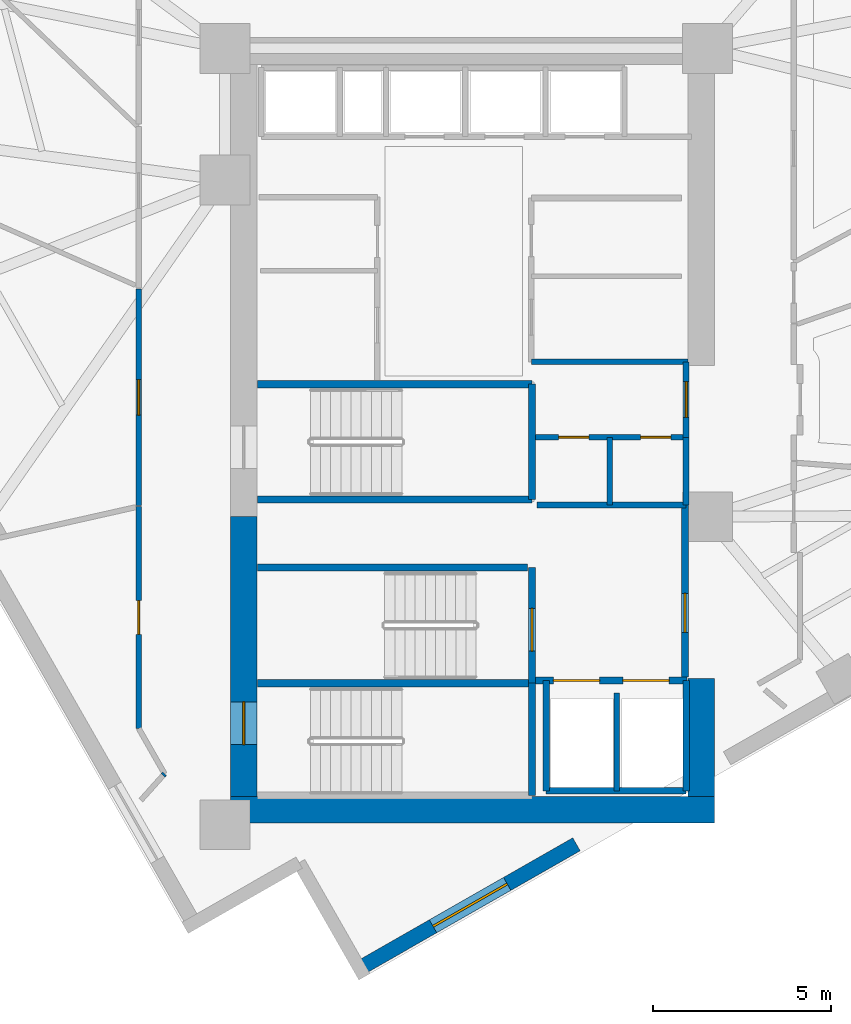
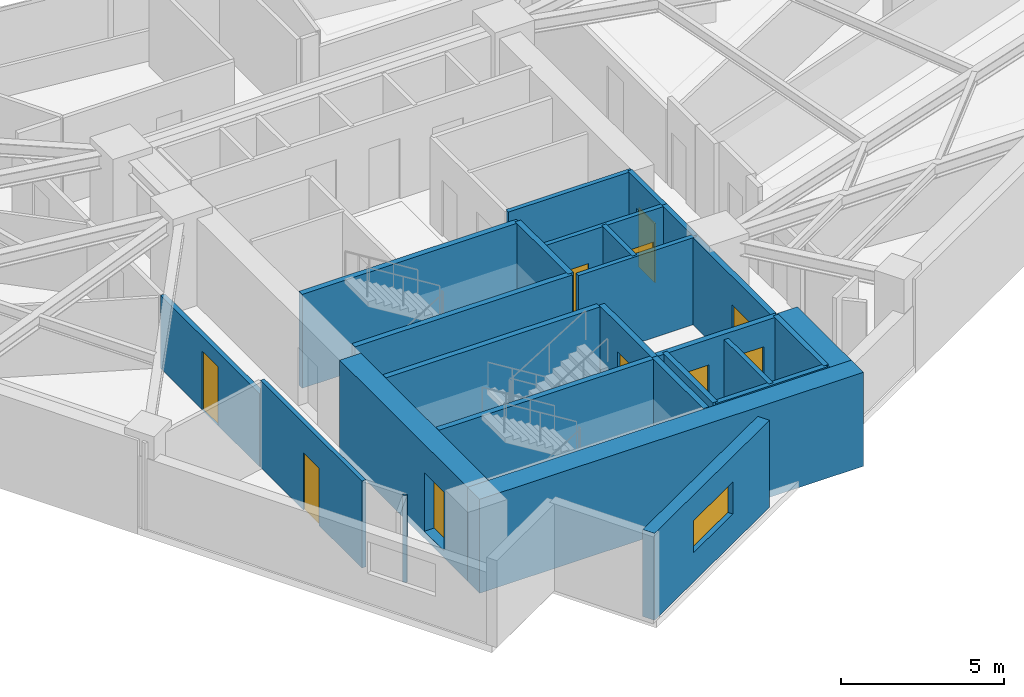
# One storey, part 9 of 14: 26 walls, 10 doors, 1 window, 11 openings.
"""IFC4 building model written with IfcOpenShell, lengths in metres."""

from ifc_helpers import new_model, si_unit, direction, frame, frame_2d, origin, place, context, subcontext, project, spatial, rectangle, extrude, material, layer, layer_set, type_object, element, fill, save


model = new_model("IFC4")

# Units and contexts
model_context = context("Model", 3, precision=1e-05, world=origin(), true_north=direction((0.0, 1.0)))
body_context = subcontext(model_context, "Body", "Model", "MODEL_VIEW")
ifc_project = project(units=[si_unit("LENGTHUNIT", "METRE"), si_unit("AREAUNIT", "SQUARE_METRE"), si_unit("VOLUMEUNIT", "CUBIC_METRE"), si_unit("PLANEANGLEUNIT", "RADIAN"), si_unit("MASSUNIT", "GRAM", prefix="KILO")], contexts=[model_context])

# Site, building, storey
site_placement = place(None, origin())
site = spatial("IfcSite", under=ifc_project, at=site_placement, CompositionType="ELEMENT")
building_placement = place(site_placement, origin())
building = spatial("IfcBuilding", under=site, at=building_placement, Name="Narakoshi Arena Tower", CompositionType="ELEMENT")
storey_placement = place(building_placement, frame((0.0, 0.0, 218.5)))
storey = spatial("IfcBuildingStorey", under=building, at=storey_placement, Name="L59", CompositionType="ELEMENT", Elevation=218.5)

# Wall, opening, door
ifc_material_1 = material(Name="Concrete C50/60", Category="concrete")
ifc_layer_1 = layer(ifc_material_1, 0.75)
ifc_layer_set_1 = layer_set([ifc_layer_1], Name="Concrete C50/60")
wall_type_1 = type_object("IfcWallType", Name="WL-CORE-750", PredefinedType="SHEAR", material=ifc_layer_set_1)
wall_1_placement = place(storey_placement, frame((72.52490234375, 35.5, -0.260009765625), z_axis=(0.0, 0.0, 1.0), x_axis=(0.0, 1.0, 0.0)))
wall_1 = element("IfcWall", 1, at=wall_1_placement, inside=storey, type_object=wall_type_1, Name="L59 Central Core Shear Wall CW-APX-W", PredefinedType="SHEAR", context=body_context, shape_type="SweptSolid", body=[
    extrude(rectangle(XDim=7.85009765625, YDim=0.75, at=frame_2d((3.925048828125, 0.0))), origin(), (0.0, 0.0, 1.0), 3.52001953125),
])
opening_1_placement = place(wall_1_placement, frame((1.449951171875, 0.0, 0.260009765625)))
opening_1 = element("IfcOpeningElement", 2, at=opening_1_placement, cuts=wall_1, Name="Opening D-03", PredefinedType="OPENING", context=body_context, shape_type="SweptSolid", body=[
    extrude(rectangle(XDim=1.199951171875, YDim=2.199951171875, at=frame_2d((0.60009765625, 1.10009765625))), frame((0.0, 0.385009765625, 0.0), z_axis=(0.0, -1.0, 0.0), x_axis=(1.0, 0.0, 0.0)), (0.0, 0.0, 1.0), 0.77001953125),
])
ifc_material_2 = material(Name="Painted galvanized steel", Category="steel")
door_type_1 = type_object("IfcDoorType", Name="DR-STR-1200", OperationType="NOTDEFINED", PredefinedType="USERDEFINED", material=ifc_material_2)
door_1_placement = place(opening_1_placement, frame((1.199951171875, 0.0, 0.0), z_axis=(0.0, 0.0, 1.0), x_axis=(-1.0, 0.0, 0.0)))
door_1 = element("IfcDoor", 3, at=door_1_placement, inside=storey, type_object=door_type_1, Name="DR-L59-001", ObjectType="EXITDOOR", OperationType="SINGLE_SWING_LEFT", OverallHeight=2.199951171875, OverallWidth=1.199951171875, PredefinedType="USERDEFINED", context=body_context, shape_type="SweptSolid", body=[
    extrude(rectangle(XDim=1.199951171875, YDim=2.199951171875, at=frame_2d((0.60009765625, 1.10009765625))), frame((0.0, 0.02490234375, 0.0), z_axis=(0.0, -1.0, 0.0), x_axis=(1.0, 0.0, 0.0)), (0.0, 0.0, 1.0), 0.050048828125),
])
fill(opening_1, door_1)

# Walls
wall_2_placement = place(storey_placement, frame((72.14990234375, 35.125, -0.260009765625), z_axis=(0.0, 0.0, 1.0), x_axis=(1.0, 0.0, 0.0)))
element("IfcWall", 4, at=wall_2_placement, inside=storey, type_object=wall_type_1, Name="L59 Central Core Shear Wall CW-APX-S", PredefinedType="SHEAR", context=body_context, shape_type="SweptSolid", body=[
    extrude(rectangle(XDim=13.60009765625, YDim=0.75, at=frame_2d((6.800048828125, 0.0))), origin(), (0.0, 0.0, 1.0), 3.52001953125),
])
wall_3_placement = place(storey_placement, frame((85.375, 35.5, -0.260009765625), z_axis=(0.0, 0.0, 1.0), x_axis=(0.0, 1.0, 0.0)))
element("IfcWall", 5, at=wall_3_placement, inside=storey, type_object=wall_type_1, Name="L59 Central Core Shear Wall CW-APX-E", PredefinedType="SHEAR", context=body_context, shape_type="SweptSolid", body=[
    extrude(rectangle(XDim=3.300048828125, YDim=0.75, at=frame_2d((1.64990234375, 0.0))), origin(), (0.0, 0.0, 1.0), 3.52001953125),
])

# Wall, opening, door
ifc_material_3 = material(Name="Gypsum plasterboard fire-rated partition")
ifc_layer_2 = layer(ifc_material_3, 0.1650390625)
ifc_layer_set_2 = layer_set([ifc_layer_2], Name="Gypsum plasterboard fire-rated partition")
wall_type_2 = type_object("IfcWallType", Name="WL-CORR-165", PredefinedType="PARTITIONING", material=ifc_layer_set_2)
wall_4_placement = place(storey_placement, frame((84.949951171875, 45.580078125, 0.0), z_axis=(0.0, 0.0, 1.0), x_axis=(0.0, 1.0, 0.0)))
wall_4 = element("IfcWall", 6, at=wall_4_placement, inside=storey, type_object=wall_type_2, Name="L59 Core Wall CPAS-E", PredefinedType="PARTITIONING", context=body_context, shape_type="SweptSolid", body=[
    extrude(rectangle(XDim=2.119873046875, YDim=0.1650390625, at=frame_2d((1.06005859375, 0.0))), origin(), (0.0, 0.0, 1.0), 3.260009765625),
])
opening_2_placement = place(wall_4_placement, frame((0.56005859375, 0.0, 0.0)))
opening_2 = element("IfcOpeningElement", 7, at=opening_2_placement, cuts=wall_4, Name="Opening D-06", PredefinedType="OPENING", context=body_context, shape_type="SweptSolid", body=[
    extrude(rectangle(XDim=1.0, YDim=2.199951171875, at=frame_2d((0.5, 1.10009765625))), frame((0.0, 0.092529296875, 0.0), z_axis=(0.0, -1.0, 0.0), x_axis=(1.0, 0.0, 0.0)), (0.0, 0.0, 1.0), 0.18505859375),
])
ifc_material_4 = material(Name="Stained oak solid-core timber", Category="wood")
door_type_2 = type_object("IfcDoorType", Name="DR-OFF-1000", OperationType="NOTDEFINED", PredefinedType="DOOR", material=ifc_material_4)
door_2_placement = place(opening_2_placement, frame((1.0, 0.0, 0.0), z_axis=(0.0, 0.0, 1.0), x_axis=(-1.0, 0.0, 0.0)))
door_2 = element("IfcDoor", 8, at=door_2_placement, inside=storey, type_object=door_type_2, Name="DR-L59-007", OperationType="SINGLE_SWING_LEFT", OverallHeight=2.199951171875, OverallWidth=1.0, PredefinedType="DOOR", context=body_context, shape_type="SweptSolid", body=[
    extrude(rectangle(XDim=1.0, YDim=2.199951171875, at=frame_2d((0.5, 1.10009765625))), frame((0.0, 0.02490234375, 0.0), z_axis=(0.0, -1.0, 0.0), x_axis=(1.0, 0.0, 0.0)), (0.0, 0.0, 1.0), 0.050048828125),
])
fill(opening_2, door_2)

wall_5_placement = place(storey_placement, frame((69.577880859375, 49.7412109375, 0.0), z_axis=(0.0, 0.0, 1.0), x_axis=(0.0, -1.0, 0.0)))
wall_5 = element("IfcWall", 9, at=wall_5_placement, inside=storey, type_object=wall_type_2, Name="L59 Corridor Partition 09-1", PredefinedType="PARTITIONING", context=body_context, shape_type="SweptSolid", body=[
    extrude(rectangle(XDim=6.080810546875, YDim=0.1650390625, at=frame_2d((3.04052734375, 0.0))), origin(), (0.0, 0.0, 1.0), 2.7451171875),
])
opening_3_placement = place(wall_5_placement, frame((2.540283203125, 0.0, 0.0)))
opening_3 = element("IfcOpeningElement", 10, at=opening_3_placement, cuts=wall_5, Name="Opening D-06", PredefinedType="OPENING", context=body_context, shape_type="SweptSolid", body=[
    extrude(rectangle(XDim=1.0, YDim=2.199951171875, at=frame_2d((0.5, 1.10009765625))), frame((0.0, 0.092529296875, 0.0), z_axis=(0.0, -1.0, 0.0), x_axis=(1.0, 0.0, 0.0)), (0.0, 0.0, 1.0), 0.18505859375),
])
door_3_placement = place(opening_3_placement, frame((1.0, 0.0, 0.0), z_axis=(0.0, 0.0, 1.0), x_axis=(-1.0, 0.0, 0.0)))
door_3 = element("IfcDoor", 11, at=door_3_placement, inside=storey, type_object=door_type_2, Name="DR-L59-025", OperationType="SINGLE_SWING_LEFT", OverallHeight=2.199951171875, OverallWidth=1.0, PredefinedType="DOOR", context=body_context, shape_type="SweptSolid", body=[
    extrude(rectangle(XDim=1.0, YDim=2.199951171875, at=frame_2d((0.5, 1.10009765625))), frame((0.0, 0.02490234375, 0.0), z_axis=(0.0, -1.0, 0.0), x_axis=(1.0, 0.0, 0.0)), (0.0, 0.0, 1.0), 0.050048828125),
])
fill(opening_3, door_3)

# Wall, opening, window
ifc_material_5 = material(Name="Precast concrete C45/55", Category="concrete")
ifc_layer_3 = layer(ifc_material_5, 0.419921875)
ifc_layer_set_3 = layer_set([ifc_layer_3], Name="Precast concrete C45/55")
wall_type_3 = type_object("IfcWallType", Name="WL-POD-420", PredefinedType="SOLIDWALL", material=ifc_layer_set_3)
wall_6_placement = place(storey_placement, frame((75.779296875, 30.6689453125, 0.0), z_axis=(0.0, 0.0, 1.0), x_axis=(0.868213158215, 0.496191406519, 0.0)))
wall_6 = element("IfcWall", 12, at=wall_6_placement, inside=storey, type_object=wall_type_3, Name="L59 Architectural Concrete Facade Wall LEGA-1", PredefinedType="SOLIDWALL", context=body_context, shape_type="SweptSolid", body=[
    extrude(rectangle(XDim=7.015380859375, YDim=0.419921875, at=frame_2d((3.5078125, 0.0))), origin(), (0.0, 0.0, 1.0), 3.260009765625),
])
opening_4_placement = place(wall_6_placement, frame((2.376708984375, 0.0, 1.10009765625)))
opening_4 = element("IfcOpeningElement", 13, at=opening_4_placement, cuts=wall_6, Name="Opening WN-04", PredefinedType="OPENING", context=body_context, shape_type="SweptSolid", body=[
    extrude(rectangle(XDim=2.39990234375, YDim=1.199951171875, at=frame_2d((1.199951171875, 0.60009765625))), frame((0.0, 0.219970703125, 0.0), z_axis=(0.0, -1.0, 0.0), x_axis=(1.0, 0.0, 0.0)), (0.0, 0.0, 1.0), 0.43994140625),
])
ifc_material_6 = material(Name="Bronze-tinted low-E laminated glass", Category="glass")
window_type = type_object("IfcWindowType", Name="WIN-SLT-24x12", PartitioningType="SINGLE_PANEL", PredefinedType="WINDOW", material=ifc_material_6)
window_placement = place(opening_4_placement, origin())
window = element("IfcWindow", 14, at=window_placement, inside=storey, type_object=window_type, Name="L59 LEGA1 Horizontal Slot Window 1", OverallHeight=1.199951171875, OverallWidth=2.39990234375, PartitioningType="SINGLE_PANEL", PredefinedType="WINDOW", context=body_context, shape_type="SweptSolid", body=[
    extrude(rectangle(XDim=2.39990234375, YDim=1.199951171875, at=frame_2d((1.199951171875, 0.60009765625))), frame((0.0, 0.030029296875, 0.0), z_axis=(0.0, -1.0, 0.0), x_axis=(1.0, 0.0, 0.0)), (0.0, 0.0, 1.0), 0.06005859375),
])
fill(opening_4, window)

# Walls
ifc_material_7 = material(Name="Concrete C40/50", Category="concrete")
ifc_layer_4 = layer(ifc_material_7, 0.280029296875)
ifc_layer_set_4 = layer_set([ifc_layer_4], Name="Concrete C40/50")
wall_type_4 = type_object("IfcWallType", Name="WL-RISER-280", PredefinedType="PLUMBINGWALL", material=ifc_layer_set_4)
wall_7_placement = place(storey_placement, frame((83.0, 35.64990234375, 0.0), z_axis=(0.0, 0.0, 1.0), x_axis=(0.0, 1.0, 0.0)))
element("IfcWall", 15, at=wall_7_placement, inside=storey, type_object=wall_type_4, Name="L59 Core Wall FF-DIV", PredefinedType="PLUMBINGWALL", context=body_context, shape_type="SweptSolid", body=[
    extrude(rectangle(XDim=2.75, YDim=0.159912109375, at=frame_2d((1.375, 0.0))), origin(), (0.0, 0.0, 1.0), 3.260009765625),
])
wall_8_placement = place(storey_placement, frame((84.949951171875, 43.679931640625, 0.0), z_axis=(0.0, 0.0, 1.0), x_axis=(0.0, 1.0, 0.0)))
element("IfcWall", 16, at=wall_8_placement, inside=storey, type_object=wall_type_4, Name="L59 Core Wall RSR-E", PredefinedType="PLUMBINGWALL", context=body_context, shape_type="SweptSolid", body=[
    extrude(rectangle(XDim=1.900146484375, YDim=0.1650390625, at=frame_2d((0.9501953125, 0.0))), origin(), (0.0, 0.0, 1.0), 3.260009765625),
])

# Wall, openings, doors
wall_9_placement = place(storey_placement, frame((80.719970703125, 45.580078125, 0.0), z_axis=(0.0, 0.0, 1.0), x_axis=(1.0, 0.0, 0.0)))
wall_9 = element("IfcWall", 17, at=wall_9_placement, inside=storey, type_object=wall_type_4, Name="L59 Core Wall RSR-N", PredefinedType="PLUMBINGWALL", context=body_context, shape_type="SweptSolid", body=[
    extrude(rectangle(XDim=4.22998046875, YDim=0.159912109375, at=frame_2d((2.114990234375, 0.0))), origin(), (0.0, 0.0, 1.0), 3.260009765625),
])
opening_5_placement = place(wall_9_placement, frame((0.64990234375, 0.0, 0.0)))
opening_5 = element("IfcOpeningElement", 18, at=opening_5_placement, cuts=wall_9, Name="Opening D-10", PredefinedType="OPENING", context=body_context, shape_type="SweptSolid", body=[
    extrude(rectangle(XDim=0.85009765625, YDim=2.050048828125, at=frame_2d((0.425048828125, 1.02490234375))), frame((0.0, 0.08984375, 0.0), z_axis=(0.0, -1.0, 0.0), x_axis=(1.0, 0.0, 0.0)), (0.0, 0.0, 1.0), 0.179931640625),
])
opening_6_placement = place(wall_9_placement, frame((2.949951171875, 0.0, 0.0)))
opening_6 = element("IfcOpeningElement", 19, at=opening_6_placement, cuts=wall_9, Name="Opening D-10", PredefinedType="OPENING", context=body_context, shape_type="SweptSolid", body=[
    extrude(rectangle(XDim=0.85009765625, YDim=2.050048828125, at=frame_2d((0.425048828125, 1.02490234375))), frame((0.0, 0.08984375, 0.0), z_axis=(0.0, -1.0, 0.0), x_axis=(1.0, 0.0, 0.0)), (0.0, 0.0, 1.0), 0.179931640625),
])
door_type_3 = type_object("IfcDoorType", Name="DR-RSR-850", OperationType="NOTDEFINED", PredefinedType="DOOR", material=ifc_material_2)
door_4_placement = place(opening_5_placement, frame((0.85009765625, 0.0, 0.0), z_axis=(0.0, 0.0, 1.0), x_axis=(-1.0, 0.0, 0.0)))
door_4 = element("IfcDoor", 20, at=door_4_placement, inside=storey, type_object=door_type_3, Name="DR-L59-008", OperationType="SINGLE_SWING_LEFT", OverallHeight=2.050048828125, OverallWidth=0.85009765625, PredefinedType="DOOR", context=body_context, shape_type="SweptSolid", body=[
    extrude(rectangle(XDim=0.85009765625, YDim=2.050048828125, at=frame_2d((0.425048828125, 1.02490234375))), frame((0.0, 0.02490234375, 0.0), z_axis=(0.0, -1.0, 0.0), x_axis=(1.0, 0.0, 0.0)), (0.0, 0.0, 1.0), 0.050048828125),
])
fill(opening_5, door_4)
door_5_placement = place(opening_6_placement, frame((0.85009765625, 0.0, 0.0), z_axis=(0.0, 0.0, 1.0), x_axis=(-1.0, 0.0, 0.0)))
door_5 = element("IfcDoor", 21, at=door_5_placement, inside=storey, type_object=door_type_3, Name="DR-L59-009", OperationType="SINGLE_SWING_RIGHT", OverallHeight=2.050048828125, OverallWidth=0.85009765625, PredefinedType="DOOR", context=body_context, shape_type="SweptSolid", body=[
    extrude(rectangle(XDim=0.85009765625, YDim=2.050048828125, at=frame_2d((0.425048828125, 1.02490234375))), frame((0.0, 0.02490234375, 0.0), z_axis=(0.0, -1.0, 0.0), x_axis=(1.0, 0.0, 0.0)), (0.0, 0.0, 1.0), 0.050048828125),
])
fill(opening_6, door_5)

# Walls
wall_10_placement = place(storey_placement, frame((80.760009765625, 43.679931640625, 0.0), z_axis=(0.0, 0.0, 1.0), x_axis=(1.0, 0.0, 0.0)))
element("IfcWall", 22, at=wall_10_placement, inside=storey, type_object=wall_type_4, Name="L59 Core Wall RSR-S", PredefinedType="PLUMBINGWALL", context=body_context, shape_type="SweptSolid", body=[
    extrude(rectangle(XDim=4.18994140625, YDim=0.159912109375, at=frame_2d((2.094970703125, 0.0))), origin(), (0.0, 0.0, 1.0), 3.260009765625),
])
wall_11_placement = place(storey_placement, frame((82.800048828125, 43.679931640625, 0.0), z_axis=(0.0, 0.0, 1.0), x_axis=(0.0, 1.0, 0.0)))
element("IfcWall", 23, at=wall_11_placement, inside=storey, type_object=wall_type_4, Name="L59 Core Wall RSR-M", PredefinedType="PLUMBINGWALL", context=body_context, shape_type="SweptSolid", body=[
    extrude(rectangle(XDim=1.900146484375, YDim=0.159912109375, at=frame_2d((0.9501953125, 0.0))), origin(), (0.0, 0.0, 1.0), 3.260009765625),
])
ifc_layer_5 = layer(ifc_material_1, 0.35009765625)
ifc_layer_set_5 = layer_set([ifc_layer_5], Name="Concrete C50/60")
wall_type_5 = type_object("IfcWallType", Name="WL-SHAFT-350", PredefinedType="SOLIDWALL", material=ifc_layer_set_5)
wall_12_placement = place(storey_placement, frame((72.919921875, 38.675048828125, -0.260009765625), z_axis=(0.0, 0.0, 1.0), x_axis=(1.0, 0.0, 0.0)))
element("IfcWall", 24, at=wall_12_placement, inside=storey, type_object=wall_type_5, Name="L59 Core Wall ST12-DIV", PredefinedType="SOLIDWALL", context=body_context, shape_type="SweptSolid", body=[
    extrude(rectangle(XDim=7.7001953125, YDim=0.199951171875, at=frame_2d((3.85009765625, 0.0))), origin(), (0.0, 0.0, 1.0), 3.52001953125),
])
wall_13_placement = place(storey_placement, frame((80.6201171875, 35.52001953125, -0.260009765625), z_axis=(0.0, 0.0, 1.0), x_axis=(0.0, 1.0, 0.0)))
element("IfcWall", 25, at=wall_13_placement, inside=storey, type_object=wall_type_5, Name="L59 Core Wall ST1-E", PredefinedType="SOLIDWALL", context=body_context, shape_type="SweptSolid", body=[
    extrude(rectangle(XDim=3.155029296875, YDim=0.199951171875, at=frame_2d((1.57763671875, 0.0))), origin(), (0.0, 0.0, 1.0), 3.52001953125),
])

# Wall, opening, door
wall_14_placement = place(storey_placement, frame((80.6201171875, 38.675048828125, -0.260009765625), z_axis=(0.0, 0.0, 1.0), x_axis=(0.0, 1.0, 0.0)))
wall_14 = element("IfcWall", 26, at=wall_14_placement, inside=storey, type_object=wall_type_5, Name="L59 Core Wall ST2-E", PredefinedType="SOLIDWALL", context=body_context, shape_type="SweptSolid", body=[
    extrude(rectangle(XDim=3.244873046875, YDim=0.199951171875, at=frame_2d((1.62255859375, 0.0))), origin(), (0.0, 0.0, 1.0), 3.52001953125),
])
opening_7_placement = place(wall_14_placement, frame((0.89990234375, 0.0, 0.260009765625)))
opening_7 = element("IfcOpeningElement", 27, at=opening_7_placement, cuts=wall_14, Name="Opening D-03", PredefinedType="OPENING", context=body_context, shape_type="SweptSolid", body=[
    extrude(rectangle(XDim=1.199951171875, YDim=2.199951171875, at=frame_2d((0.60009765625, 1.10009765625))), frame((0.0, 0.10986328125, 0.0), z_axis=(0.0, -1.0, 0.0), x_axis=(1.0, 0.0, 0.0)), (0.0, 0.0, 1.0), 0.219970703125),
])
door_6_placement = place(opening_7_placement, origin())
door_6 = element("IfcDoor", 28, at=door_6_placement, inside=storey, type_object=door_type_1, Name="DR-L59-002", ObjectType="EXITDOOR", OperationType="SINGLE_SWING_RIGHT", OverallHeight=2.199951171875, OverallWidth=1.199951171875, PredefinedType="USERDEFINED", context=body_context, shape_type="SweptSolid", body=[
    extrude(rectangle(XDim=1.199951171875, YDim=2.199951171875, at=frame_2d((0.60009765625, 1.10009765625))), frame((0.0, 0.02490234375, 0.0), z_axis=(0.0, -1.0, 0.0), x_axis=(1.0, 0.0, 0.0)), (0.0, 0.0, 1.0), 0.050048828125),
])
fill(opening_7, door_6)

# Wall, openings, doors
wall_15_placement = place(storey_placement, frame((80.719970703125, 38.75, 0.0), z_axis=(0.0, 0.0, 1.0), x_axis=(1.0, 0.0, 0.0)))
wall_15 = element("IfcWall", 29, at=wall_15_placement, inside=storey, type_object=wall_type_5, Name="L59 Core Wall FF-N", PredefinedType="SOLIDWALL", context=body_context, shape_type="SweptSolid", body=[
    extrude(rectangle(XDim=4.260009765625, YDim=0.199951171875, at=frame_2d((2.1298828125, 0.0))), origin(), (0.0, 0.0, 1.0), 3.260009765625),
])
opening_8_placement = place(wall_15_placement, frame((0.5, 0.0, 0.0)))
opening_8 = element("IfcOpeningElement", 30, at=opening_8_placement, cuts=wall_15, Name="Opening LD-02", PredefinedType="OPENING", context=body_context, shape_type="SweptSolid", body=[
    extrude(rectangle(XDim=1.300048828125, YDim=2.300048828125, at=frame_2d((0.64990234375, 1.14990234375))), frame((0.0, 0.10986328125, 0.0), z_axis=(0.0, -1.0, 0.0), x_axis=(1.0, 0.0, 0.0)), (0.0, 0.0, 1.0), 0.219970703125),
])
opening_9_placement = place(wall_15_placement, frame((2.449951171875, 0.0, 0.0)))
opening_9 = element("IfcOpeningElement", 31, at=opening_9_placement, cuts=wall_15, Name="Opening LD-02", PredefinedType="OPENING", context=body_context, shape_type="SweptSolid", body=[
    extrude(rectangle(XDim=1.300048828125, YDim=2.300048828125, at=frame_2d((0.64990234375, 1.14990234375))), frame((0.0, 0.10986328125, 0.0), z_axis=(0.0, -1.0, 0.0), x_axis=(1.0, 0.0, 0.0)), (0.0, 0.0, 1.0), 0.219970703125),
])
ifc_material_8 = material(Name="Brushed bronze stainless steel", Category="steel")
door_type_4 = type_object("IfcDoorType", Name="DR-LFT-1300", OperationType="DOUBLE_DOOR_SLIDING", PredefinedType="DOOR", material=ifc_material_8)
door_7_placement = place(opening_8_placement, origin())
door_7 = element("IfcDoor", 32, at=door_7_placement, inside=storey, type_object=door_type_4, Name="DR-L59-003", OperationType="DOUBLE_DOOR_SLIDING", OverallHeight=2.300048828125, OverallWidth=1.300048828125, PredefinedType="DOOR", context=body_context, shape_type="SweptSolid", body=[
    extrude(rectangle(XDim=1.300048828125, YDim=2.300048828125, at=frame_2d((0.64990234375, 1.14990234375))), frame((0.0, 0.02490234375, 0.0), z_axis=(0.0, -1.0, 0.0), x_axis=(1.0, 0.0, 0.0)), (0.0, 0.0, 1.0), 0.050048828125),
])
fill(opening_8, door_7)
door_8_placement = place(opening_9_placement, origin())
door_8 = element("IfcDoor", 33, at=door_8_placement, inside=storey, type_object=door_type_4, Name="DR-L59-004", OperationType="DOUBLE_DOOR_SLIDING", OverallHeight=2.300048828125, OverallWidth=1.300048828125, PredefinedType="DOOR", context=body_context, shape_type="SweptSolid", body=[
    extrude(rectangle(XDim=1.300048828125, YDim=2.300048828125, at=frame_2d((0.64990234375, 1.14990234375))), frame((0.0, 0.02490234375, 0.0), z_axis=(0.0, -1.0, 0.0), x_axis=(1.0, 0.0, 0.0)), (0.0, 0.0, 1.0), 0.050048828125),
])
fill(opening_9, door_8)

# Walls
for number, where, z_axis, x_axis, name in (
    (34, (84.949951171875, 35.64990234375, 0.0), (0.0, 0.0, 1.0), (0.0, 1.0, 0.0), "L59 Core Wall FF-E"),
    (35, (81.02001953125, 35.64990234375, 0.0), (0.0, 0.0, 1.0), (0.0, 1.0, 0.0), "L59 Core Wall FF-W"),
):
    element("IfcWall", number, at=place(storey_placement, frame(where, z_axis=z_axis, x_axis=x_axis)), inside=storey, type_object=wall_type_5, Name=name, PredefinedType="SOLIDWALL", context=body_context, shape_type="SweptSolid", body=[
        extrude(rectangle(XDim=3.10009765625, YDim=0.179931640625, at=frame_2d((1.550048828125, 0.0))), origin(), (0.0, 0.0, 1.0), 3.260009765625),
    ])
wall_16_placement = place(storey_placement, frame((81.02001953125, 35.64990234375, 0.0), z_axis=(0.0, 0.0, 1.0), x_axis=(1.0, 0.0, 0.0)))
element("IfcWall", 36, at=wall_16_placement, inside=storey, type_object=wall_type_5, Name="L59 Core Wall FF-S", PredefinedType="SOLIDWALL", context=body_context, shape_type="SweptSolid", body=[
    extrude(rectangle(XDim=3.929931640625, YDim=0.179931640625, at=frame_2d((1.96484375, 0.0))), origin(), (0.0, 0.0, 1.0), 3.260009765625),
])

# Wall, opening, door
wall_17_placement = place(storey_placement, frame((84.919921875, 38.85009765625, 0.0), z_axis=(0.0, 0.0, 1.0), x_axis=(0.0, 1.0, 0.0)))
wall_17 = element("IfcWall", 37, at=wall_17_placement, inside=storey, type_object=wall_type_5, Name="L59 Core Wall FFLOB-E", PredefinedType="SOLIDWALL", context=body_context, shape_type="SweptSolid", body=[
    extrude(rectangle(XDim=4.829833984375, YDim=0.199951171875, at=frame_2d((2.4150390625, 0.0))), origin(), (0.0, 0.0, 1.0), 3.260009765625),
])
opening_10_placement = place(wall_17_placement, frame((1.25, 0.0, 0.0)))
opening_10 = element("IfcOpeningElement", 38, at=opening_10_placement, cuts=wall_17, Name="Opening D-04", PredefinedType="OPENING", context=body_context, shape_type="SweptSolid", body=[
    extrude(rectangle(XDim=1.10009765625, YDim=2.199951171875, at=frame_2d((0.550048828125, 1.10009765625))), frame((0.0, 0.10986328125, 0.0), z_axis=(0.0, -1.0, 0.0), x_axis=(1.0, 0.0, 0.0)), (0.0, 0.0, 1.0), 0.219970703125),
])
door_type_5 = type_object("IfcDoorType", Name="DR-FFL-1100", OperationType="NOTDEFINED", PredefinedType="DOOR", material=ifc_material_2)
door_9_placement = place(opening_10_placement, frame((1.10009765625, 0.0, 0.0), z_axis=(0.0, 0.0, 1.0), x_axis=(-1.0, 0.0, 0.0)))
door_9 = element("IfcDoor", 39, at=door_9_placement, inside=storey, type_object=door_type_5, Name="DR-L59-005", OperationType="SINGLE_SWING_RIGHT", OverallHeight=2.199951171875, OverallWidth=1.10009765625, PredefinedType="DOOR", context=body_context, shape_type="SweptSolid", body=[
    extrude(rectangle(XDim=1.10009765625, YDim=2.199951171875, at=frame_2d((0.550048828125, 1.10009765625))), frame((0.0, 0.02490234375, 0.0), z_axis=(0.0, -1.0, 0.0), x_axis=(1.0, 0.0, 0.0)), (0.0, 0.0, 1.0), 0.050048828125),
])
fill(opening_10, door_9)

# Walls
wall_18_placement = place(storey_placement, frame((72.919921875, 41.919921875, -0.260009765625), z_axis=(0.0, 0.0, 1.0), x_axis=(1.0, 0.0, 0.0)))
element("IfcWall", 40, at=wall_18_placement, inside=storey, type_object=wall_type_5, Name="L59 Core Wall ST2-N", PredefinedType="SOLIDWALL", context=body_context, shape_type="SweptSolid", body=[
    extrude(rectangle(XDim=7.580078125, YDim=0.199951171875, at=frame_2d((3.7900390625, 0.0))), origin(), (0.0, 0.0, 1.0), 3.52001953125),
])
for number, where, z_axis, x_axis, name in (
    (41, (72.919921875, 43.830078125, -0.260009765625), (0.0, 0.0, 1.0), (1.0, 0.0, 0.0), "L59 Core Wall ST3-S"),
    (42, (72.919921875, 47.070068359375, -0.260009765625), (0.0, 0.0, 1.0), (1.0, 0.0, 0.0), "L59 Core Wall ST3-N"),
):
    element("IfcWall", number, at=place(storey_placement, frame(where, z_axis=z_axis, x_axis=x_axis)), inside=storey, type_object=wall_type_5, Name=name, PredefinedType="SOLIDWALL", context=body_context, shape_type="SweptSolid", body=[
        extrude(rectangle(XDim=7.7001953125, YDim=0.199951171875, at=frame_2d((3.85009765625, 0.0))), origin(), (0.0, 0.0, 1.0), 3.52001953125),
    ])
wall_19_placement = place(storey_placement, frame((80.6201171875, 43.830078125, -0.260009765625), z_axis=(0.0, 0.0, 1.0), x_axis=(0.0, 1.0, 0.0)))
element("IfcWall", 43, at=wall_19_placement, inside=storey, type_object=wall_type_5, Name="L59 Core Wall ST3-E", PredefinedType="SOLIDWALL", context=body_context, shape_type="SweptSolid", body=[
    extrude(rectangle(XDim=3.239990234375, YDim=0.199951171875, at=frame_2d((1.6201171875, 0.0))), origin(), (0.0, 0.0, 1.0), 3.52001953125),
])
wall_20_placement = place(storey_placement, frame((80.60009765625, 47.699951171875, 0.0), z_axis=(0.0, 0.0, 1.0), x_axis=(1.0, 0.0, 0.0)))
element("IfcWall", 44, at=wall_20_placement, inside=storey, type_object=wall_type_5, Name="L59 Core Wall MR-S", PredefinedType="SOLIDWALL", context=body_context, shape_type="SweptSolid", body=[
    extrude(rectangle(XDim=4.39990234375, YDim=0.159912109375, at=frame_2d((2.199951171875, 0.0))), origin(), (0.0, 0.0, 1.0), 3.260009765625),
])

# Wall, opening, door
ifc_material_9 = material(Name="Moisture-resistant cement-board partition")
ifc_layer_6 = layer(ifc_material_9, 0.14501953125)
ifc_layer_set_6 = layer_set([ifc_layer_6], Name="Moisture-resistant cement-board partition")
wall_type_6 = type_object("IfcWallType", Name="WL-WET-145", PredefinedType="PARTITIONING", material=ifc_layer_set_6)
wall_21_placement = place(storey_placement, frame((69.577880859375, 43.635986328125, 0.0), z_axis=(0.0, 0.0, 1.0), x_axis=(0.0, -1.0, 0.0)))
wall_21 = element("IfcWall", 45, at=wall_21_placement, inside=storey, type_object=wall_type_6, Name="L59 Corridor Partition 01-1", PredefinedType="PARTITIONING", context=body_context, shape_type="SweptSolid", body=[
    extrude(rectangle(XDim=6.231689453125, YDim=0.14501953125, at=frame_2d((3.11572265625, 0.0))), origin(), (0.0, 0.0, 1.0), 3.260009765625),
])
opening_11_placement = place(wall_21_placement, frame((2.640869140625, 0.0, 0.0)))
opening_11 = element("IfcOpeningElement", 46, at=opening_11_placement, cuts=wall_21, Name="Opening D-07", PredefinedType="OPENING", context=body_context, shape_type="SweptSolid", body=[
    extrude(rectangle(XDim=0.949951171875, YDim=2.14990234375, at=frame_2d((0.47509765625, 1.074951171875))), frame((0.0, 0.08251953125, 0.0), z_axis=(0.0, -1.0, 0.0), x_axis=(1.0, 0.0, 0.0)), (0.0, 0.0, 1.0), 0.1650390625),
])
door_type_6 = type_object("IfcDoorType", Name="DR-ACC-950", OperationType="NOTDEFINED", PredefinedType="DOOR", material=ifc_material_4)
door_10_placement = place(opening_11_placement, frame((0.949951171875, 0.0, 0.0), z_axis=(0.0, 0.0, 1.0), x_axis=(-1.0, 0.0, 0.0)))
door_10 = element("IfcDoor", 47, at=door_10_placement, inside=storey, type_object=door_type_6, Name="DR-L59-017", OperationType="SINGLE_SWING_LEFT", OverallHeight=2.14990234375, OverallWidth=0.949951171875, PredefinedType="DOOR", context=body_context, shape_type="SweptSolid", body=[
    extrude(rectangle(XDim=0.949951171875, YDim=2.14990234375, at=frame_2d((0.47509765625, 1.074951171875))), frame((0.0, 0.02490234375, 0.0), z_axis=(0.0, -1.0, 0.0), x_axis=(1.0, 0.0, 0.0)), (0.0, 0.0, 1.0), 0.050048828125),
])
fill(opening_11, door_10)

# Wall
wall_22_placement = place(storey_placement, frame((70.304443359375, 36.1328125, 0.0), z_axis=(0.0, 0.0, 1.0), x_axis=(-0.667471256218, -0.744635563295, 0.0)))
element("IfcWall", 48, at=wall_22_placement, inside=storey, type_object=wall_type_6, Name="L59 Corridor Partition 01-3", PredefinedType="PARTITIONING", context=body_context, shape_type="SweptSolid", body=[
    extrude(rectangle(XDim=0.063232421875, YDim=0.14501953125, at=frame_2d((0.03173828125, 0.0))), origin(), (0.0, 0.0, 1.0), 3.260009765625),
])

save(model, "model.ifc")
